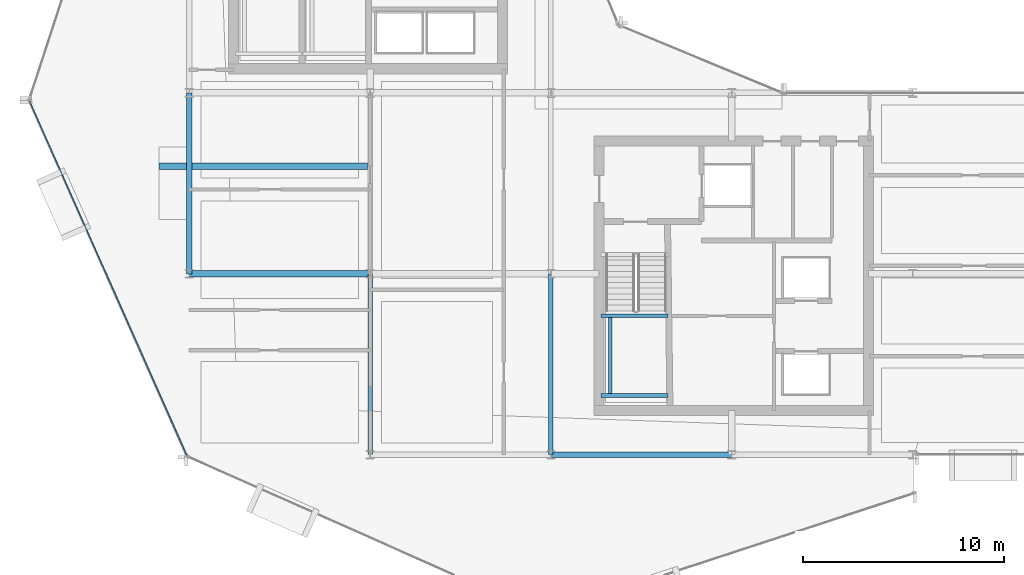
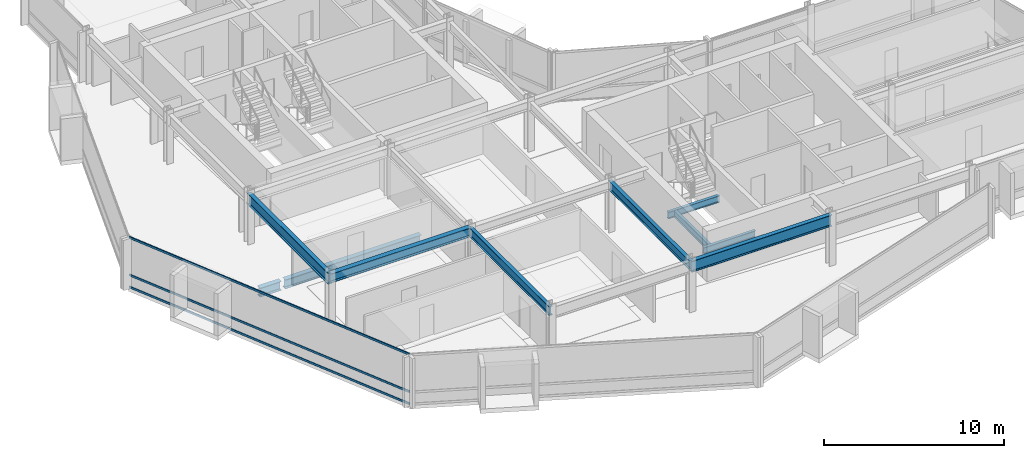
# One storey, part 5 of 29: 10 beams, 3 members, 1 element without a shape of its own.
"""IFC4 building model written with IfcOpenShell, lengths in metres."""

import ifcopenshell
import ifcopenshell.guid

model = None  # the IFC model being written
_history = None  # IfcOwnerHistory: only IFC2X3 demands one
_inside = {}  # id of a spatial element -> (the spatial element, [elements in it])
_under = {}  # id of a project, library or spatial element -> (it, [spatial elements below it])
_declared = {}  # id of a project -> (the project, [libraries it declares])
_typed = {}  # id of a type object -> (the type object, [elements of that type])
_made_of = {}  # id of a material, layer set ... -> (it, [elements and type objects made of it])


def new_model(schema):
    """Start an empty IFC model of exactly this schema.

    Asked for "IFC4X3", IfcOpenShell would pick the latest addendum, in which some entities
    have other attributes; the version numbers below select the first issue.
    IFC2X3 requires an IfcOwnerHistory on every rooted entity: one is made here for all.
    """
    global model, _history
    if schema == "IFC4X3":
        model = ifcopenshell.file(schema_version=(4, 3, 0, 0))
    else:
        model = ifcopenshell.file(schema=schema)
    _inside.clear()
    _under.clear()
    _declared.clear()
    _typed.clear()
    _made_of.clear()
    _history = None
    if model.schema == "IFC2X3":
        org = make("IfcOrganization", Name="unknown")
        user = make(
            "IfcPersonAndOrganization",
            ThePerson=make("IfcPerson", FamilyName="unknown"),
            TheOrganization=org,
        )
        app = make(
            "IfcApplication",
            ApplicationDeveloper=org,
            Version="unknown",
            ApplicationFullName="unknown",
            ApplicationIdentifier="unknown",
        )
        _history = make(
            "IfcOwnerHistory",
            OwningUser=user,
            OwningApplication=app,
            ChangeAction="ADDED",
            CreationDate=0,
        )
    return model


def make(cls, **values):
    """One entity of the class cls with the attributes given. An attribute that is None is left unset."""
    return model.create_entity(
        cls, **{name: value for name, value in values.items() if value is not None}
    )


def rooted(cls, **values):
    """An entity with a GlobalId (a new one), such as an element, a storey or a relation."""
    return make(cls, GlobalId=ifcopenshell.guid.new(), OwnerHistory=_history, **values)


def si_unit(unit_type, name, prefix=None):
    """IfcSIUnit, for example si_unit("LENGTHUNIT", "METRE", prefix="MILLI")."""
    return make("IfcSIUnit", UnitType=unit_type, Prefix=prefix, Name=name)


def assignment(units):
    """IfcUnitAssignment: the units of a project."""
    return None if units is None else make("IfcUnitAssignment", Units=units)


def point(xyz):
    """IfcCartesianPoint."""
    return None if xyz is None else make("IfcCartesianPoint", Coordinates=xyz)


def direction(xyz):
    """IfcDirection."""
    return None if xyz is None else make("IfcDirection", DirectionRatios=xyz)


def frame(location, z_axis=None, x_axis=None):
    """IfcAxis2Placement3D, a coordinate frame: its origin and axes. An axis left out is left unset."""
    return make(
        "IfcAxis2Placement3D",
        Location=point(location),
        Axis=direction(z_axis),
        RefDirection=direction(x_axis),
    )


def frame_2d(location, x_axis=None):
    """IfcAxis2Placement2D, a coordinate frame in the plane: its origin and x axis."""
    return make(
        "IfcAxis2Placement2D", Location=point(location), RefDirection=direction(x_axis)
    )


def origin():
    """The frame at (0, 0, 0) with its axes left unset."""
    return frame((0.0, 0.0, 0.0))


def origin_2d():
    """The frame at (0, 0) in the plane with its x axis left unset."""
    return frame_2d((0.0, 0.0))


def place(relative_to, where):
    """IfcLocalPlacement: puts the frame where relative to a parent placement (None: the world)."""
    return make(
        "IfcLocalPlacement", PlacementRelTo=relative_to, RelativePlacement=where
    )


def context(
    kind, dimensions, precision=None, world=None, true_north=None, identifier=None
):
    """IfcGeometricRepresentationContext, for example the 3D "Model" context."""
    return make(
        "IfcGeometricRepresentationContext",
        ContextIdentifier=identifier,
        ContextType=kind,
        CoordinateSpaceDimension=dimensions,
        Precision=precision,
        WorldCoordinateSystem=world,
        TrueNorth=true_north,
    )


def subcontext(parent, identifier, kind, view, scale=None):
    """IfcGeometricRepresentationSubContext, for example "Body" below "Model"."""
    return make(
        "IfcGeometricRepresentationSubContext",
        ContextIdentifier=identifier,
        ContextType=kind,
        ParentContext=parent,
        TargetScale=scale,
        TargetView=view,
    )


def project(units=None, contexts=None):
    """IfcProject with its units and contexts."""
    return rooted(
        "IfcProject",
        Name="project",
        RepresentationContexts=contexts,
        UnitsInContext=assignment(units),
    )


def spatial(cls, under=None, at=None, **own):
    """A site, building, storey or space (cls), placed at a placement, below another one or the project."""
    s = rooted(cls, ObjectPlacement=at, **own)
    if under is not None:
        _under.setdefault(under.id(), (under, []))[1].append(s)
    return s


def profile(cls, at=None, kind="AREA", **sizes):
    """A parametric profile (cls). Its sizes go by their IFC names, for example OverallWidth=200.0."""
    return make(cls, ProfileType=kind, Position=at, **sizes)


def hollow_rectangle(**sizes):
    """IfcRectangleHollowProfileDef."""
    return profile("IfcRectangleHollowProfileDef", **sizes)


def i_section(**sizes):
    """IfcIShapeProfileDef."""
    return profile("IfcIShapeProfileDef", **sizes)


def extrude(swept, where, along, depth):
    """IfcExtrudedAreaSolid: the profile swept, set in the frame where, extruded along a direction by depth."""
    return make(
        "IfcExtrudedAreaSolid",
        SweptArea=swept,
        Position=where,
        ExtrudedDirection=direction(along),
        Depth=depth,
    )


def shape(context_of_items, identifier, shape_type, items):
    """IfcShapeRepresentation: the items that make up one representation, for example the "Body"."""
    return make(
        "IfcShapeRepresentation",
        ContextOfItems=context_of_items,
        RepresentationIdentifier=identifier,
        RepresentationType=shape_type,
        Items=items,
    )


def material(Name=None, Category=None):
    """IfcMaterial."""
    return make("IfcMaterial", Name=Name, Category=Category)


def layer(
    of_material, thickness, ventilated=None, Name=None, Category=None, Priority=None
):
    """IfcMaterialLayer: one layer of a wall or slab, of a material (None: an air gap)."""
    return make(
        "IfcMaterialLayer",
        Material=of_material,
        LayerThickness=thickness,
        IsVentilated=ventilated,
        Name=Name,
        Category=Category,
        Priority=Priority,
    )


def layer_set(layers, Name=None):
    """IfcMaterialLayerSet."""
    return make("IfcMaterialLayerSet", MaterialLayers=layers, LayerSetName=Name)


def material_profile(
    of_material, cross_section, Name=None, Category=None, Priority=None
):
    """IfcMaterialProfile: a cross section and its material."""
    return make(
        "IfcMaterialProfile",
        Name=Name,
        Material=of_material,
        Profile=cross_section,
        Priority=Priority,
        Category=Category,
    )


def profile_set(profiles, Name=None, composite=None):
    """IfcMaterialProfileSet."""
    return make(
        "IfcMaterialProfileSet",
        Name=Name,
        MaterialProfiles=profiles,
        CompositeProfile=composite,
    )


def made_of(thing, what):
    """Note that an element or type object is made of a material, layer set ...; save() writes the relation."""
    if what is not None:
        _made_of.setdefault(what.id(), (what, []))[1].append(thing)
    return thing


def type_object(cls, material=None, **own):
    """A type object (cls), such as IfcWallType, which elements share."""
    return made_of(rooted(cls, **own), material)


def element(
    cls,
    number,
    at=None,
    inside=None,
    cuts=None,
    type_object=None,
    material=None,
    context=None,
    identifier="Body",
    shape_type=None,
    held_by="IfcProductDefinitionShape",
    body=None,
    shapes=None,
    **own,
):
    """One element of the class cls, such as IfcWall. Its Tag is "e" and its number.

    at: its placement. inside: the storey or other place that contains it. cuts: it is an
    opening in that element (IfcRelVoidsElement). A single representation is given by context,
    identifier, shape_type and body (its items); several are given by shapes. held_by: the class
    of the entity that holds the representations. save() writes the other relations.
    """
    e = rooted(cls, Tag="e%d" % number, ObjectPlacement=at, **own)
    if body is not None:
        shapes = [shape(context, identifier, shape_type, body)]
    if shapes is not None:
        e.Representation = make(held_by, Representations=shapes)
    if inside is not None:
        _inside.setdefault(inside.id(), (inside, []))[1].append(e)
    if cuts is not None:
        rooted(
            "IfcRelVoidsElement", RelatingBuildingElement=cuts, RelatedOpeningElement=e
        )
    if type_object is not None:
        _typed.setdefault(type_object.id(), (type_object, []))[1].append(e)
    return made_of(e, material)


def aggregate(whole, parts):
    """IfcRelAggregates: a whole, such as a stair, and the parts it consists of."""
    return rooted("IfcRelAggregates", RelatingObject=whole, RelatedObjects=parts)


def save(model, path):
    """Write the relations noted so far, then the file.

    IfcRelAggregates (storeys below a building ...), IfcRelContainedInSpatialStructure (elements
    in a storey), IfcRelDefinesByType, IfcRelAssociatesMaterial and IfcRelDeclares: one each for
    every whole, place, type object, material and project.
    """
    for whole, parts in _under.values():
        aggregate(whole, parts)
    for where, things in _inside.values():
        rooted(
            "IfcRelContainedInSpatialStructure",
            RelatedElements=things,
            RelatingStructure=where,
        )
    for kind, things in _typed.values():
        rooted("IfcRelDefinesByType", RelatedObjects=things, RelatingType=kind)
    for what, things in _made_of.values():
        rooted("IfcRelAssociatesMaterial", RelatedObjects=things, RelatingMaterial=what)
    for by, libraries in _declared.values():
        rooted("IfcRelDeclares", RelatingContext=by, RelatedDefinitions=libraries)
    model.write(path)


model = new_model("IFC4")

# Units and contexts
model_context = context("Model", 3, precision=1e-05, world=origin(), true_north=direction((0.0, 1.0)))
body_context = subcontext(model_context, "Body", "Model", "MODEL_VIEW")
ifc_project = project(units=[si_unit("LENGTHUNIT", "METRE"), si_unit("AREAUNIT", "SQUARE_METRE"), si_unit("VOLUMEUNIT", "CUBIC_METRE"), si_unit("PLANEANGLEUNIT", "RADIAN"), si_unit("MASSUNIT", "GRAM", prefix="KILO")], contexts=[model_context])

# Site, building, storey
site_placement = place(None, origin())
site = spatial("IfcSite", under=ifc_project, at=site_placement, CompositionType="ELEMENT")
building_placement = place(site_placement, origin())
building = spatial("IfcBuilding", under=site, at=building_placement, Name="Solvaryn Broadcast Tower", CompositionType="ELEMENT")
storey_placement = place(building_placement, frame((0.0, 0.0, 143.300048828125)))
storey = spatial("IfcBuildingStorey", under=building, at=storey_placement, Name="L35", CompositionType="ELEMENT", Elevation=143.300048828125)

# Beams
ifc_material_1 = material(Name="Steel ASTM A992 Grade 50", Category="steel")
ifc_material_profile_1 = material_profile(ifc_material_1, i_section(OverallWidth=0.323974609375, OverallDepth=0.611083984375, WebThickness=0.0126953125, FlangeThickness=0.01904296875, FilletRadius=0.014892578125, at=origin_2d()))
ifc_profile_set_1 = profile_set([ifc_material_profile_1], Name="Steel ASTM A992 Grade 50")
beam_type_1 = type_object("IfcBeamType", Name="BM-B1-W24X104", PredefinedType="BEAM", material=ifc_profile_set_1)
beam_1_placement = place(storey_placement, frame((17.875, 23.35009765625, -0.58544921875), z_axis=(-1.0, 0.0, 0.0), x_axis=(0.0, -1.0, 0.0)))
element("IfcBeam", 1, at=beam_1_placement, inside=storey, type_object=beam_type_1, Name="L35 Bay-Box Back-Span Beam 1", PredefinedType="BEAM", context=body_context, shape_type="SweptSolid", body=[
    extrude(i_section(OverallWidth=0.323974609375, OverallDepth=0.611083984375, WebThickness=0.0126953125, FlangeThickness=0.01904296875, FilletRadius=0.014892578125, at=origin_2d()), origin(), (0.0, 0.0, 1.0), 8.75),
])
beam_2_placement = place(storey_placement, frame((9.0, 18.0, 3.114501953125), z_axis=(1.0, 0.0, 0.0), x_axis=(0.0, 1.0, 0.0)))
element("IfcBeam", 2, at=beam_2_placement, inside=storey, type_object=beam_type_1, Name="L35 Primary Beam X (9-18 @ Y=18)", PredefinedType="BEAM", context=body_context, shape_type="SweptSolid", body=[
    extrude(i_section(OverallWidth=0.323974609375, OverallDepth=0.611083984375, WebThickness=0.0126953125, FlangeThickness=0.01904296875, FilletRadius=0.014892578125, at=origin_2d()), origin(), (0.0, 0.0, 1.0), 9.0),
])
ifc_material_2 = material(Name="Steel ASTM A992 Grade 50", Category="steel")
ifc_material_profile_2 = material_profile(ifc_material_2, i_section(OverallWidth=0.22802734375, OverallDepth=0.60791015625, WebThickness=0.01123046875, FlangeThickness=0.017333984375, FilletRadius=0.014892578125, at=origin_2d()))
ifc_profile_set_2 = profile_set([ifc_material_profile_2], Name="Steel ASTM A992 Grade 50")
beam_type_2 = type_object("IfcBeamType", Name="BM-B2-W24X76", PredefinedType="BEAM", material=ifc_profile_set_2)
for number, where, z_axis, x_axis, name in (
    (3, (18.0, 9.0, 3.115966796875), (0.0, 1.0, 0.0), (-1.0, 0.0, 0.0), "L35 Primary Beam Y (9-18 @ X=18)"),
    (4, (27.0, 9.0, 3.115966796875), (0.0, 1.0, 0.0), (-1.0, 0.0, 0.0), "L35 Primary Beam Y (9-18 @ X=27)"),
):
    element("IfcBeam", number, at=place(storey_placement, frame(where, z_axis=z_axis, x_axis=x_axis)), inside=storey, type_object=beam_type_2, Name=name, PredefinedType="BEAM", context=body_context, shape_type="SweptSolid", body=[
        extrude(i_section(OverallWidth=0.22802734375, OverallDepth=0.60791015625, WebThickness=0.01123046875, FlangeThickness=0.017333984375, FilletRadius=0.014892578125, at=origin_2d()), origin(), (0.0, 0.0, 1.0), 9.0),
    ])
ifc_material_3 = material(Name="Steel ASTM A992 Grade 50", Category="steel")
ifc_material_profile_3 = material_profile(ifc_material_3, i_section(OverallWidth=0.18994140625, OverallDepth=0.45703125, WebThickness=0.009033203125, FlangeThickness=0.014404296875, FilletRadius=0.011962890625, at=origin_2d()))
ifc_profile_set_3 = profile_set([ifc_material_profile_3], Name="Steel ASTM A992 Grade 50")
beam_type_3 = type_object("IfcBeamType", Name="BM-B4-W18X50", PredefinedType="BEAM", material=ifc_profile_set_3)
for number, where, z_axis, x_axis, name in (
    (5, (29.5, 11.949951171875, 1.42138671875), (1.0, 0.0, 0.0), (0.0, 1.0, 0.0), "L35 ST3 Landing Support Beam 1A"),
    (6, (29.5, 15.909912109375, 1.42138671875), (1.0, 0.0, 0.0), (0.0, 1.0, 0.0), "L35 ST3 Landing Support Beam 1B"),
):
    element("IfcBeam", number, at=place(storey_placement, frame(where, z_axis=z_axis, x_axis=x_axis)), inside=storey, type_object=beam_type_3, Name=name, PredefinedType="BEAM", context=body_context, shape_type="SweptSolid", body=[
        extrude(i_section(OverallWidth=0.18994140625, OverallDepth=0.45703125, WebThickness=0.009033203125, FlangeThickness=0.014404296875, FilletRadius=0.011962890625, at=origin_2d()), origin(), (0.0, 0.0, 1.0), 3.320068359375),
    ])
beam_3_placement = place(storey_placement, frame((29.949951171875, 11.949951171875, 1.42138671875), z_axis=(0.0, 1.0, 0.0), x_axis=(-1.0, 0.0, 0.0)))
element("IfcBeam", 7, at=beam_3_placement, inside=storey, type_object=beam_type_3, Name="L35 ST3 Landing Cross Stringer 1C", PredefinedType="BEAM", context=body_context, shape_type="SweptSolid", body=[
    extrude(i_section(OverallWidth=0.18994140625, OverallDepth=0.45703125, WebThickness=0.009033203125, FlangeThickness=0.014404296875, FilletRadius=0.011962890625, at=origin_2d()), origin(), (0.0, 0.0, 1.0), 3.9599609375),
])
ifc_material_4 = material(Name="Steel ASTM A992 Grade 50", Category="steel")
ifc_material_profile_4 = material_profile(ifc_material_4, i_section(OverallWidth=0.323974609375, OverallDepth=0.611083984375, WebThickness=0.0126953125, FlangeThickness=0.01904296875, FilletRadius=0.014892578125, at=origin_2d()))
ifc_profile_set_4 = profile_set([ifc_material_profile_4], Name="Steel ASTM A992 Grade 50")
beam_type_4 = type_object("IfcBeamType", Name="BM-CANT-TER", PredefinedType="BEAM", material=ifc_profile_set_4)
beam_4_placement = place(storey_placement, frame((8.875, 23.35009765625, -0.58544921875), z_axis=(-1.0, 0.0, 0.0), x_axis=(0.0, -1.0, 0.0)))
element("IfcBeam", 8, at=beam_4_placement, inside=storey, type_object=beam_type_4, Name="L35 Bay-Box Cantilever Bracket 1", PredefinedType="BEAM", context=body_context, shape_type="SweptSolid", body=[
    extrude(i_section(OverallWidth=0.323974609375, OverallDepth=0.611083984375, WebThickness=0.0126953125, FlangeThickness=0.01904296875, FilletRadius=0.014892578125, at=origin_2d()), origin(), (0.0, 0.0, 1.0), 1.375),
])
ifc_material_5 = material(Name="Steel ASTM A992 Grade 50", Category="steel")
ifc_material_profile_5 = material_profile(ifc_material_5, i_section(OverallWidth=0.26708984375, OverallDepth=0.76611328125, WebThickness=0.014892578125, FlangeThickness=0.023681640625, FilletRadius=0.01806640625, at=origin_2d()))
ifc_profile_set_5 = profile_set([ifc_material_profile_5], Name="Steel ASTM A992 Grade 50")
beam_type_5 = type_object("IfcBeamType", Name="BM-SP2-W30X124", PredefinedType="USERDEFINED", material=ifc_profile_set_5)
for number, where, z_axis, x_axis, name in (
    (9, (27.0, 9.0, 3.036865234375), (1.0, 0.0, 0.0), (0.0, 1.0, 0.0), "L35 Spandrel Beam X (27-36 @ Y=9)"),
    (10, (9.0, 18.0, 3.036865234375), (0.0, 1.0, 0.0), (-1.0, 0.0, 0.0), "L35 Spandrel Beam Y (18-27 @ X=9)"),
):
    element("IfcBeam", number, at=place(storey_placement, frame(where, z_axis=z_axis, x_axis=x_axis)), inside=storey, type_object=beam_type_5, Name=name, ObjectType="SPANDREL", PredefinedType="USERDEFINED", context=body_context, shape_type="SweptSolid", body=[
        extrude(i_section(OverallWidth=0.26708984375, OverallDepth=0.76611328125, WebThickness=0.014892578125, FlangeThickness=0.023681640625, FilletRadius=0.01806640625, at=origin_2d()), origin(), (0.0, 0.0, 1.0), 9.0),
    ])

# Curtain wall, members
ifc_material_6 = material(Name="Aluminium and Terracotta Unitised Curtain Wall", Category="masonry")
ifc_layer = layer(ifc_material_6, 0.199951171875)
ifc_layer_set = layer_set([ifc_layer], Name="CW-SYS2-LOWMID")
curtain_wall_type = type_object("IfcCurtainWallType", Name="CW-SYS2-LOWMID", PredefinedType="NOTDEFINED", material=ifc_layer_set)
curtain_wall_placement = place(storey_placement, origin())
curtain_wall = element("IfcCurtainWall", 11, at=curtain_wall_placement, inside=storey, type_object=curtain_wall_type, Name="L35 Curtain Wall DR2", PredefinedType="NOTDEFINED")
ifc_material_7 = material(Name="Anodised Aluminium 6063-T6", Category="aluminium")
ifc_material_profile_6 = material_profile(ifc_material_7, hollow_rectangle(XDim=0.06494140625, YDim=0.14990234375, WallThickness=0.00390625, InnerFilletRadius=0.00390625, OuterFilletRadius=0.008056640625, at=origin_2d()))
ifc_profile_set_6 = profile_set([ifc_material_profile_6], Name="Anodised Aluminium 6063-T6")
member_type = type_object("IfcMemberType", Name="CW-TRN-150", PredefinedType="USERDEFINED", material=ifc_profile_set_6)
member_1_placement = place(storey_placement, frame((1.058349609375, 26.5810546875, 0.030029296875), z_axis=(0.405917546252, -0.913909703223, 0.0), x_axis=(0.913909703223, 0.405917546252, 0.0)))
member_1 = element("IfcMember", 12, at=member_1_placement, type_object=member_type, Name="CWS2 transom 1.1", ObjectType="TRANSOM", PredefinedType="USERDEFINED", context=body_context, shape_type="SweptSolid", body=[
    extrude(hollow_rectangle(XDim=0.06494140625, YDim=0.14990234375, WallThickness=0.00390625, InnerFilletRadius=0.00390625, OuterFilletRadius=0.008056640625, at=origin_2d()), origin(), (0.0, 0.0, 1.0), 19.27783203125),
])
member_2_placement = place(storey_placement, frame((1.058349609375, 26.5810546875, 0.849853515625), z_axis=(0.405917546252, -0.913909703223, 0.0), x_axis=(0.913909703223, 0.405917546252, 0.0)))
member_2 = element("IfcMember", 13, at=member_2_placement, type_object=member_type, Name="CWS2 transom 1.2", ObjectType="TRANSOM", PredefinedType="USERDEFINED", context=body_context, shape_type="SweptSolid", body=[
    extrude(hollow_rectangle(XDim=0.06494140625, YDim=0.14990234375, WallThickness=0.00390625, InnerFilletRadius=0.00390625, OuterFilletRadius=0.008056640625, at=origin_2d()), origin(), (0.0, 0.0, 1.0), 19.27783203125),
])
member_3_placement = place(storey_placement, frame((1.058349609375, 26.5810546875, 3.389892578125), z_axis=(0.405917546252, -0.913909703223, 0.0), x_axis=(0.913909703223, 0.405917546252, 0.0)))
member_3 = element("IfcMember", 14, at=member_3_placement, type_object=member_type, Name="CWS2 transom 1.3", ObjectType="TRANSOM", PredefinedType="USERDEFINED", context=body_context, shape_type="SweptSolid", body=[
    extrude(hollow_rectangle(XDim=0.06494140625, YDim=0.14990234375, WallThickness=0.00390625, InnerFilletRadius=0.00390625, OuterFilletRadius=0.008056640625, at=origin_2d()), origin(), (0.0, 0.0, 1.0), 19.27783203125),
])
aggregate(curtain_wall, [member_1, member_2, member_3])

save(model, "model.ifc")
